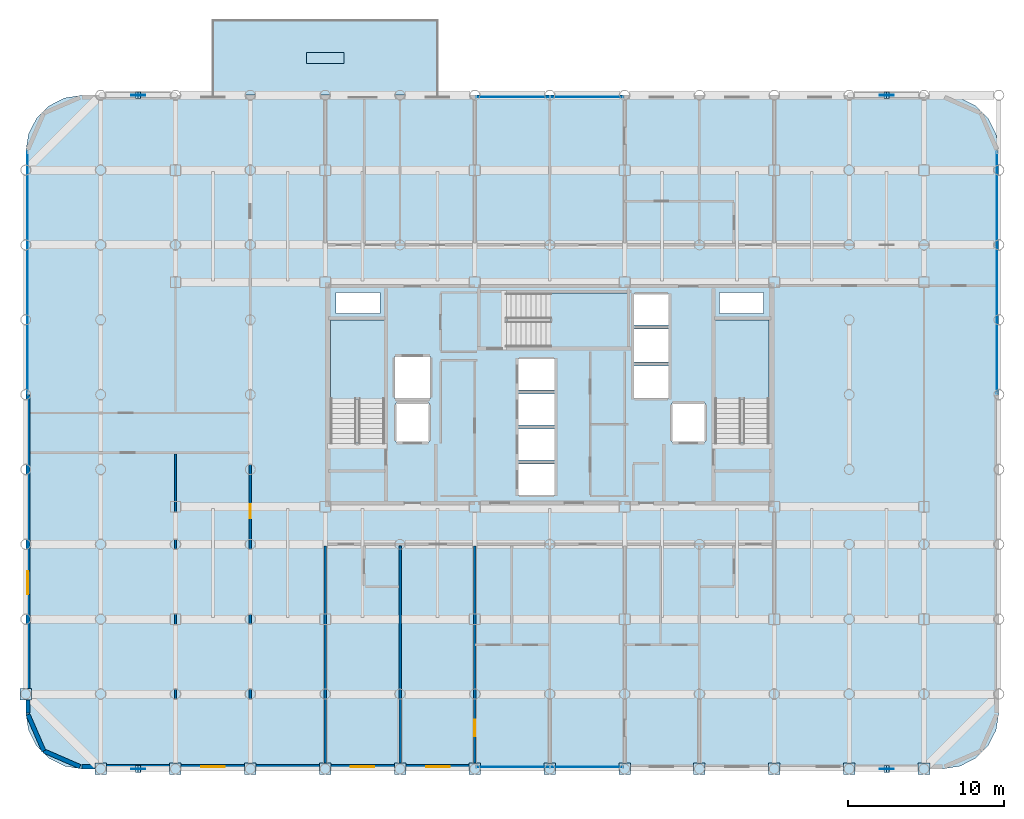
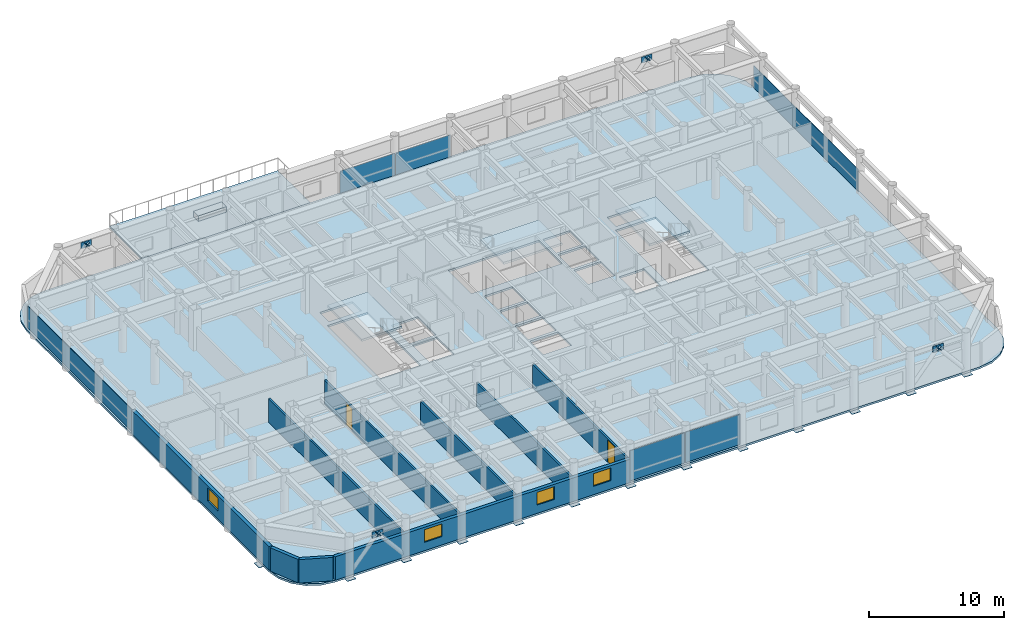
# One storey, part 16 of 22: 32 plates, 9 walls, 5 slabs, 4 windows, 2 doors, 6 openings, 7 elements without a shape of their own.
"""IFC4 building model written with IfcOpenShell, lengths in metres."""

from ifc_helpers import new_model, si_unit, direction, frame, frame_2d, origin, origin_2d, place, context, subcontext, project, spatial, polyline, rectangle, outline, extrude, material, layer, layer_set, type_object, element, fill, aggregate, save


model = new_model("IFC4")

# Units and contexts
model_context = context("Model", 3, precision=1e-05, world=origin(), true_north=direction((0.0, 1.0)))
body_context = subcontext(model_context, "Body", "Model", "MODEL_VIEW")
ifc_project = project(units=[si_unit("LENGTHUNIT", "METRE"), si_unit("AREAUNIT", "SQUARE_METRE"), si_unit("VOLUMEUNIT", "CUBIC_METRE"), si_unit("PLANEANGLEUNIT", "RADIAN"), si_unit("MASSUNIT", "GRAM", prefix="KILO")], contexts=[model_context])

# Site, building, storey
site_placement = place(None, origin())
site = spatial("IfcSite", under=ifc_project, at=site_placement, CompositionType="ELEMENT")
building_placement = place(site_placement, origin())
building = spatial("IfcBuilding", under=site, at=building_placement, Name="Kallvorn Hotel Tower", CompositionType="ELEMENT")
storey_placement = place(building_placement, frame((0.0, 0.0, 154.39990234375)))
storey = spatial("IfcBuildingStorey", under=building, at=storey_placement, Name="L38", CompositionType="ELEMENT", Elevation=154.39990234375)

# Curtain wall, plates
ifc_material_1 = material(Name="Thermally broken black-anodised aluminium AA 6063-T6", Category="aluminium")
ifc_layer_1 = layer(ifc_material_1, 0.2099609375)
ifc_layer_set_1 = layer_set([ifc_layer_1], Name="CW_SYS_4_HOTEL_MID")
curtain_wall_type = type_object("IfcCurtainWallType", Name="CW_SYS_4_HOTEL_MID", PredefinedType="USERDEFINED", material=ifc_layer_set_1)
curtain_wall_1_placement = place(storey_placement, origin())
curtain_wall_1 = element("IfcCurtainWall", 1, at=curtain_wall_1_placement, inside=storey, type_object=curtain_wall_type, Name="L38 Dark-Glass Curtain Wall CW-L38-SC", ObjectType="UNITISED CURTAIN WALL", PredefinedType="USERDEFINED")
ifc_material_2 = material(Name="Double-glazed low-e solar-control dark glass", Category="glass")
ifc_layer_2 = layer(ifc_material_2, 0.037841796875)
ifc_layer_set_2 = layer_set([ifc_layer_2], Name="CW_SYS_4_HOTEL_MID_PANEL")
plate_type_1 = type_object("IfcPlateType", Name="CW_SYS_4_HOTEL_MID_PANEL", PredefinedType="CURTAIN_PANEL", material=ifc_layer_set_2)
plate_1_placement = place(storey_placement, frame((-2.375, -23.8798828125, 0.06005859375), z_axis=(0.0, 0.0, 1.0), x_axis=(1.0, 0.0, 0.0)))
plate_1 = element("IfcPlate", 2, at=plate_1_placement, type_object=plate_type_1, Name="CW-L38-SC Vision Glass Panel 00", PredefinedType="CURTAIN_PANEL", context=body_context, shape_type="SweptSolid", body=[
    extrude(rectangle(XDim=4.68994140625, YDim=0.037841796875, at=origin_2d()), origin(), (0.0, 0.0, 1.0), 2.75),
])
plate_2_placement = place(storey_placement, frame((2.375, -23.8798828125, 0.06005859375), z_axis=(0.0, 0.0, 1.0), x_axis=(1.0, 0.0, 0.0)))
plate_2 = element("IfcPlate", 3, at=plate_2_placement, type_object=plate_type_1, Name="CW-L38-SC Vision Glass Panel 01", PredefinedType="CURTAIN_PANEL", context=body_context, shape_type="SweptSolid", body=[
    extrude(rectangle(XDim=4.68994140625, YDim=0.037841796875, at=origin_2d()), origin(), (0.0, 0.0, 1.0), 2.75),
])
aggregate(curtain_wall_1, [plate_1, plate_2])

curtain_wall_2_placement = place(storey_placement, origin())
curtain_wall_2 = element("IfcCurtainWall", 4, at=curtain_wall_2_placement, inside=storey, type_object=curtain_wall_type, Name="L38 Dark-Glass Curtain Wall CW-L38-NC", ObjectType="UNITISED CURTAIN WALL", PredefinedType="USERDEFINED")
plate_3_placement = place(storey_placement, frame((-2.375, 19.080078125, 0.06005859375), z_axis=(0.0, 0.0, 1.0), x_axis=(1.0, 0.0, 0.0)))
plate_3 = element("IfcPlate", 5, at=plate_3_placement, type_object=plate_type_1, Name="CW-L38-NC Vision Glass Panel 00", PredefinedType="CURTAIN_PANEL", context=body_context, shape_type="SweptSolid", body=[
    extrude(rectangle(XDim=4.68994140625, YDim=0.037841796875, at=origin_2d()), origin(), (0.0, 0.0, 1.0), 2.0),
])
plate_4_placement = place(storey_placement, frame((2.375, 19.080078125, 0.06005859375), z_axis=(0.0, 0.0, 1.0), x_axis=(1.0, 0.0, 0.0)))
plate_4 = element("IfcPlate", 6, at=plate_4_placement, type_object=plate_type_1, Name="CW-L38-NC Vision Glass Panel 01", PredefinedType="CURTAIN_PANEL", context=body_context, shape_type="SweptSolid", body=[
    extrude(rectangle(XDim=4.68994140625, YDim=0.037841796875, at=origin_2d()), origin(), (0.0, 0.0, 1.0), 2.0),
])
aggregate(curtain_wall_2, [plate_3, plate_4])

# Curtain wall, plate
curtain_wall_3_placement = place(storey_placement, origin())
curtain_wall_3 = element("IfcCurtainWall", 7, at=curtain_wall_3_placement, inside=storey, type_object=curtain_wall_type, Name="L38 Dark-Glass Curtain Wall CW-L38-WN", ObjectType="UNITISED CURTAIN WALL", PredefinedType="USERDEFINED")
plate_5_placement = place(storey_placement, frame((-33.47998046875, 7.81005859375, 0.06005859375), z_axis=(0.0, 0.0, 1.0), x_axis=(0.0, 1.0, 0.0)))
plate_5 = element("IfcPlate", 8, at=plate_5_placement, type_object=plate_type_1, Name="CW-L38-WN Vision Glass Panel 00", PredefinedType="CURTAIN_PANEL", context=body_context, shape_type="SweptSolid", body=[
    extrude(rectangle(XDim=15.52001953125, YDim=0.037841796875, at=origin_2d()), origin(), (0.0, 0.0, 1.0), 2.0),
])
aggregate(curtain_wall_3, [plate_5])

curtain_wall_4_placement = place(storey_placement, origin())
curtain_wall_4 = element("IfcCurtainWall", 9, at=curtain_wall_4_placement, inside=storey, type_object=curtain_wall_type, Name="L38 Dark-Glass Curtain Wall CW-L38-EN", ObjectType="UNITISED CURTAIN WALL", PredefinedType="USERDEFINED")
plate_6_placement = place(storey_placement, frame((28.679931640625, 7.81005859375, 0.06005859375), z_axis=(0.0, 0.0, 1.0), x_axis=(0.0, 1.0, 0.0)))
plate_6 = element("IfcPlate", 10, at=plate_6_placement, type_object=plate_type_1, Name="CW-L38-EN Vision Glass Panel 00", PredefinedType="CURTAIN_PANEL", context=body_context, shape_type="SweptSolid", body=[
    extrude(rectangle(XDim=15.52001953125, YDim=0.037841796875, at=origin_2d()), origin(), (0.0, 0.0, 1.0), 2.0),
])
aggregate(curtain_wall_4, [plate_6])

# Plates
ifc_material_3 = material(Name="Structural steel S355JR", Category="steel")
ifc_layer_3 = layer(ifc_material_3, 0.030029296875)
ifc_layer_set_3 = layer_set([ifc_layer_3], Name="PLT_CAP_30")
plate_type_2 = type_object("IfcPlateType", Name="PLT_CAP_30", PredefinedType="SHEET", material=ifc_layer_set_3)
for number, where, z_axis, x_axis, name in (
    (11, (-33.60009765625, -19.199951171875, -0.2099609375), (0.0, 0.0, 1.0), (1.0, 0.0, 0.0), "L38 Hollow Column Base End Cap Plate 0212"),
    (12, (-28.800048828125, -24.0, -0.2099609375), (0.0, 0.0, 1.0), (1.0, 0.0, 0.0), "L38 Hollow Column Base End Cap Plate 0213"),
    (13, (-24.0, -24.0, -0.2099609375), (0.0, 0.0, 1.0), (1.0, 0.0, 0.0), "L38 Hollow Column Base End Cap Plate 0214"),
    (14, (-19.199951171875, -24.0, -0.2099609375), (0.0, 0.0, 1.0), (1.0, 0.0, 0.0), "L38 Hollow Column Base End Cap Plate 0215"),
    (15, (-14.39990234375, -24.0, -0.2099609375), (0.0, 0.0, 1.0), (1.0, 0.0, 0.0), "L38 Hollow Column Base End Cap Plate 0216"),
    (16, (-9.60009765625, -24.0, -0.2099609375), (0.0, 0.0, 1.0), (1.0, 0.0, 0.0), "L38 Hollow Column Base End Cap Plate 0217"),
    (17, (-4.800048828125, -24.0, -0.2099609375), (0.0, 0.0, 1.0), (1.0, 0.0, 0.0), "L38 Hollow Column Base End Cap Plate 0218"),
    (18, (0.0, -24.0, -0.2099609375), (0.0, 0.0, 1.0), (1.0, 0.0, 0.0), "L38 Hollow Column Base End Cap Plate 0219"),
    (19, (4.800048828125, -24.0, -0.2099609375), (0.0, 0.0, 1.0), (1.0, 0.0, 0.0), "L38 Hollow Column Base End Cap Plate 0220"),
    (20, (9.60009765625, -24.0, -0.2099609375), (0.0, 0.0, 1.0), (1.0, 0.0, 0.0), "L38 Hollow Column Base End Cap Plate 0221"),
    (21, (14.39990234375, -24.0, -0.2099609375), (0.0, 0.0, 1.0), (1.0, 0.0, 0.0), "L38 Hollow Column Base End Cap Plate 0222"),
    (22, (19.199951171875, -24.0, -0.2099609375), (0.0, 0.0, 1.0), (1.0, 0.0, 0.0), "L38 Hollow Column Base End Cap Plate 0223"),
    (23, (24.0, -24.0, -0.2099609375), (0.0, 0.0, 1.0), (1.0, 0.0, 0.0), "L38 Hollow Column Base End Cap Plate 0224"),
):
    element("IfcPlate", number, at=place(storey_placement, frame(where, z_axis=z_axis, x_axis=x_axis)), inside=storey, type_object=plate_type_2, Name=name, PredefinedType="SHEET", context=body_context, shape_type="SweptSolid", body=[
        extrude(rectangle(XDim=0.739990234375, YDim=0.739990234375, at=origin_2d()), origin(), (0.0, 0.0, 1.0), 0.030029296875),
    ])
plate_7_placement = place(storey_placement, frame((-26.227294921875, -24.2177734375, 2.876708984375), z_axis=(0.647046537535, 0.0, 0.762450508731), x_axis=(0.0, 1.0, 0.0)))
element("IfcPlate", 24, at=plate_7_placement, inside=storey, type_object=plate_type_2, Name="EXO-L38-S1A End Cap Plate B", PredefinedType="SHEET", context=body_context, shape_type="SweptSolid", body=[
    extrude(outline(polyline([(0.0, 0.0), (0.435546875, 0.0), (0.435546875, 0.4357992903407334), (0.0, 0.4357992903407334), (0.0, 0.0)])), origin(), (0.0, 0.0, -1.0), 0.030029296875),
])
plate_8_placement = place(storey_placement, frame((-26.572509765625, -23.7822265625, 2.876708984375), z_axis=(-0.647322989315, 0.0, 0.762215814258), x_axis=(0.0, -1.0, 0.0)))
element("IfcPlate", 25, at=plate_8_placement, inside=storey, type_object=plate_type_2, Name="EXO-L38-S1B End Cap Plate B", PredefinedType="SHEET", context=body_context, shape_type="SweptSolid", body=[
    extrude(outline(polyline([(0.0, 0.0), (0.435546875, 0.0), (0.435546875, 0.43561317384010895), (0.0, 0.43561317384010895), (0.0, 0.0)])), origin(), (0.0, 0.0, -1.0), 0.030029296875),
])
plate_9_placement = place(storey_placement, frame((21.772705078125, -24.2177734375, 2.876708984375), z_axis=(0.647046537535, 0.0, 0.762450508731), x_axis=(0.0, 1.0, 0.0)))
element("IfcPlate", 26, at=plate_9_placement, inside=storey, type_object=plate_type_2, Name="EXO-L38-S2A End Cap Plate B", PredefinedType="SHEET", context=body_context, shape_type="SweptSolid", body=[
    extrude(outline(polyline([(0.0, 0.0), (0.435546875, 0.0), (0.435546875, 0.4357992903407334), (0.0, 0.4357992903407334), (0.0, 0.0)])), origin(), (0.0, 0.0, -1.0), 0.030029296875),
])
plate_10_placement = place(storey_placement, frame((21.427490234375, -23.7822265625, 2.876708984375), z_axis=(-0.647322989315, 0.0, 0.762215814258), x_axis=(0.0, -1.0, 0.0)))
element("IfcPlate", 27, at=plate_10_placement, inside=storey, type_object=plate_type_2, Name="EXO-L38-S2B End Cap Plate B", PredefinedType="SHEET", context=body_context, shape_type="SweptSolid", body=[
    extrude(outline(polyline([(0.0, 0.0), (0.435546875, 0.0), (0.435546875, 0.43561317384010895), (0.0, 0.43561317384010895), (0.0, 0.0)])), origin(), (0.0, 0.0, -1.0), 0.030029296875),
])
plate_11_placement = place(storey_placement, frame((-26.227294921875, 18.982177734375, 2.876708984375), z_axis=(0.647046537535, 0.0, 0.762450508731), x_axis=(0.0, 1.0, 0.0)))
element("IfcPlate", 28, at=plate_11_placement, inside=storey, type_object=plate_type_2, Name="EXO-L38-N1A End Cap Plate B", PredefinedType="SHEET", context=body_context, shape_type="SweptSolid", body=[
    extrude(outline(polyline([(0.0, 0.0), (0.435546875, 0.0), (0.435546875, 0.4357992903407334), (0.0, 0.4357992903407334), (0.0, 0.0)])), origin(), (0.0, 0.0, -1.0), 0.030029296875),
])
plate_12_placement = place(storey_placement, frame((-26.572509765625, 19.417724609375, 2.876708984375), z_axis=(-0.647322989315, 0.0, 0.762215814258), x_axis=(0.0, -1.0, 0.0)))
element("IfcPlate", 29, at=plate_12_placement, inside=storey, type_object=plate_type_2, Name="EXO-L38-N1B End Cap Plate B", PredefinedType="SHEET", context=body_context, shape_type="SweptSolid", body=[
    extrude(outline(polyline([(0.0, 0.0), (0.435546875, 0.0), (0.435546875, 0.43561317384010895), (0.0, 0.43561317384010895), (0.0, 0.0)])), origin(), (0.0, 0.0, -1.0), 0.030029296875),
])
plate_13_placement = place(storey_placement, frame((21.772705078125, 18.982177734375, 2.876708984375), z_axis=(0.647046537535, 0.0, 0.762450508731), x_axis=(0.0, 1.0, 0.0)))
element("IfcPlate", 30, at=plate_13_placement, inside=storey, type_object=plate_type_2, Name="EXO-L38-N2A End Cap Plate B", PredefinedType="SHEET", context=body_context, shape_type="SweptSolid", body=[
    extrude(outline(polyline([(0.0, 0.0), (0.435546875, 0.0), (0.435546875, 0.4357992903407334), (0.0, 0.4357992903407334), (0.0, 0.0)])), origin(), (0.0, 0.0, -1.0), 0.030029296875),
])
plate_14_placement = place(storey_placement, frame((21.427490234375, 19.417724609375, 2.876708984375), z_axis=(-0.647322989315, 0.0, 0.762215814258), x_axis=(0.0, -1.0, 0.0)))
element("IfcPlate", 31, at=plate_14_placement, inside=storey, type_object=plate_type_2, Name="EXO-L38-N2B End Cap Plate B", PredefinedType="SHEET", context=body_context, shape_type="SweptSolid", body=[
    extrude(outline(polyline([(0.0, 0.0), (0.435546875, 0.0), (0.435546875, 0.43561317384010895), (0.0, 0.43561317384010895), (0.0, 0.0)])), origin(), (0.0, 0.0, -1.0), 0.030029296875),
])
ifc_material_4 = material(Name="Structural steel S355JR", Category="steel")
ifc_layer_4 = layer(ifc_material_4, 0.044921875)
ifc_layer_set_4 = layer_set([ifc_layer_4], Name="PLT_GUSSET_45")
plate_type_3 = type_object("IfcPlateType", Name="PLT_GUSSET_45", PredefinedType="USERDEFINED", material=ifc_layer_set_4)
for number, where, z_axis, x_axis, name in (
    (32, (-26.39990234375, -24.0, 2.690185546875), (0.0, 0.0, 1.0), (1.0, 0.0, 0.0), "L38 Exoskeleton Node Gusset S1"),
    (33, (21.60009765625, -24.0, 2.690185546875), (0.0, 0.0, 1.0), (1.0, 0.0, 0.0), "L38 Exoskeleton Node Gusset S2"),
    (34, (-26.39990234375, 19.199951171875, 2.690185546875), (0.0, 0.0, 1.0), (1.0, 0.0, 0.0), "L38 Exoskeleton Node Gusset N1"),
    (35, (21.60009765625, 19.199951171875, 2.690185546875), (0.0, 0.0, 1.0), (1.0, 0.0, 0.0), "L38 Exoskeleton Node Gusset N2"),
):
    element("IfcPlate", number, at=place(storey_placement, frame(where, z_axis=z_axis, x_axis=x_axis)), inside=storey, type_object=plate_type_3, Name=name, ObjectType="GUSSET PLATE", PredefinedType="USERDEFINED", context=body_context, shape_type="SweptSolid", body=[
        extrude(rectangle(XDim=0.89990234375, YDim=0.044921875, at=origin_2d()), origin(), (0.0, 0.0, 1.0), 0.56005859375),
    ])
ifc_material_5 = material(Name="Powder-coated marine-grade aluminium planter trough", Category="aluminium")
ifc_layer_5 = layer(ifc_material_5, 0.0400390625)
ifc_layer_set_5 = layer_set([ifc_layer_5], Name="PLT_PLANTER_TROUGH")
plate_type_4 = type_object("IfcPlateType", Name="PLT_PLANTER_TROUGH", PredefinedType="USERDEFINED", material=ifc_layer_set_5)
plate_15_placement = place(storey_placement, frame((-14.39990234375, 21.60009765625, 0.0), z_axis=(0.0, 0.0, 1.0), x_axis=(1.0, 0.0, 0.0)))
element("IfcPlate", 36, at=plate_15_placement, inside=storey, type_object=plate_type_4, Name="TER-L38-N Step-Off Terrace Planter", ObjectType="FACADE PLANTER TROUGH", PredefinedType="USERDEFINED", context=body_context, shape_type="SweptSolid", body=[
    extrude(rectangle(XDim=2.39990234375, YDim=0.699951171875, at=origin_2d()), origin(), (0.0, 0.0, 1.0), 0.5),
])

# Stair, slab
ifc_material_6 = material(Name="Precast concrete C40/50", Category="concrete")
stair_type = type_object("IfcStairType", Name="STR_CORE_DOGLEG", PredefinedType="HALF_TURN_STAIR", material=ifc_material_6)
stair_1_placement = place(storey_placement, origin())
stair_1 = element("IfcStair", 37, at=stair_1_placement, inside=storey, type_object=stair_type, Name="L38 Exit stair ST1", PredefinedType="HALF_TURN_STAIR")
ifc_material_7 = material(Name="Precast concrete C40/50", Category="concrete")
ifc_layer_6 = layer(ifc_material_7, 0.179931640625)
ifc_layer_set_6 = layer_set([ifc_layer_6], Name="SLB_LANDING_180")
slab_type_1 = type_object("IfcSlabType", Name="SLB_LANDING_180", PredefinedType="LANDING", material=ifc_layer_set_6)
slab_1_placement = place(storey_placement, frame((0.0, 0.0, 1.650146484375)))
slab_1 = element("IfcSlab", 38, at=slab_1_placement, type_object=slab_type_1, Name="ST1 landing 1", PredefinedType="LANDING", context=body_context, shape_type="SweptSolid", body=[
    extrude(outline(polyline([(-10.60009765625, -0.31005859375), (-10.60009765625, 4.800048828125), (-14.06005859375, 4.800048828125), (-14.06005859375, -0.31005859375), (-10.60009765625, -0.31005859375)])), origin(), (0.0, 0.0, 1.0), 0.199951171875),
])
aggregate(stair_1, [slab_1])

stair_2_placement = place(storey_placement, origin())
stair_2 = element("IfcStair", 39, at=stair_2_placement, inside=storey, type_object=stair_type, Name="L38 Exit stair ST2", PredefinedType="HALF_TURN_STAIR")
slab_2_placement = place(storey_placement, frame((0.0, 0.0, 1.650146484375)))
slab_2 = element("IfcSlab", 40, at=slab_2_placement, type_object=slab_type_1, Name="ST2 landing 1", PredefinedType="LANDING", context=body_context, shape_type="SweptSolid", body=[
    extrude(outline(polyline([(14.06005859375, -0.31005859375), (14.06005859375, 4.800048828125), (10.60009765625, 4.800048828125), (10.60009765625, -0.31005859375), (14.06005859375, -0.31005859375)])), origin(), (0.0, 0.0, 1.0), 0.199951171875),
])
aggregate(stair_2, [slab_2])

stair_3_placement = place(storey_placement, origin())
stair_3 = element("IfcStair", 41, at=stair_3_placement, inside=storey, type_object=stair_type, Name="L38 Exit stair ST3", PredefinedType="HALF_TURN_STAIR")
slab_3_placement = place(storey_placement, frame((0.0, 0.0, 1.650146484375)))
slab_3 = element("IfcSlab", 42, at=slab_3_placement, type_object=slab_type_1, Name="ST3 landing 1", PredefinedType="LANDING", context=body_context, shape_type="SweptSolid", body=[
    extrude(outline(polyline([(0.0400390625, 3.050048828125), (5.050048828125, 3.050048828125), (5.050048828125, 6.510009765625), (0.0400390625, 6.510009765625), (0.0400390625, 3.050048828125)])), origin(), (0.0, 0.0, 1.0), 0.199951171875),
])
aggregate(stair_3, [slab_3])

# Slabs
ifc_material_8 = material(Name="Concrete C40/50", Category="concrete")
ifc_layer_7 = layer(ifc_material_8, 0.179931640625)
ifc_layer_set_7 = layer_set([ifc_layer_7], Name="SLB_TERRACE_180")
slab_type_2 = type_object("IfcSlabType", Name="SLB_TERRACE_180", PredefinedType="ROOF", material=ifc_layer_set_7)
slab_4_placement = place(storey_placement, frame((0.0, 0.0, -0.179931640625)))
element("IfcSlab", 43, at=slab_4_placement, inside=storey, type_object=slab_type_2, Name="L38 Jenga Step-Off Garden Terrace TER-L38-N", PredefinedType="ROOF", context=body_context, shape_type="SweptSolid", body=[
    extrude(outline(polyline([(-21.60009765625, 19.199951171875), (-7.199951171875, 19.199951171875), (-7.199951171875, 24.0), (-21.60009765625, 24.0), (-21.60009765625, 19.199951171875)])), origin(), (0.0, 0.0, 1.0), 0.179931640625),
])
ifc_material_9 = material(Name="Concrete C40/50", Category="concrete")
ifc_layer_8 = layer(ifc_material_9, 0.179931640625)
ifc_layer_set_8 = layer_set([ifc_layer_8], Name="SLB_TOWER_180")
slab_type_3 = type_object("IfcSlabType", Name="SLB_TOWER_180", PredefinedType="FLOOR", material=ifc_layer_set_8)
slab_5_placement = place(storey_placement, frame((0.0, 0.0, -0.179931640625)))
element("IfcSlab", 44, at=slab_5_placement, inside=storey, type_object=slab_type_3, Name="L38 Structural Floor Slab", PredefinedType="FLOOR", context=body_context, shape_type="SweptSolid", body=[
    extrude(outline(polyline([(25.199951171875, -24.0), (26.3125, -23.82373046875), (27.31591796875, -23.3125), (28.112548828125, -22.51611328125), (28.623779296875, -21.512451171875), (28.800048828125, -20.39990234375), (28.800048828125, 15.60009765625), (28.623779296875, 16.71240234375), (28.112548828125, 17.716064453125), (27.31591796875, 18.512451171875), (26.3125, 19.023681640625), (25.199951171875, 19.199951171875), (-30.0, 19.199951171875), (-31.112548828125, 19.023681640625), (-32.115966796875, 18.512451171875), (-32.91259765625, 17.716064453125), (-33.423828125, 16.71240234375), (-33.60009765625, 15.60009765625), (-33.60009765625, -20.39990234375), (-33.423828125, -21.512451171875), (-32.91259765625, -22.51611328125), (-32.115966796875, -23.3125), (-31.112548828125, -23.82373046875), (-30.0, -24.0), (25.199951171875, -24.0)]), holes=[polyline([(-10.60009765625, -3.070068359375), (-10.60009765625, 4.800048828125), (-14.06005859375, 4.800048828125), (-14.06005859375, -3.070068359375), (-10.60009765625, -3.070068359375)]), polyline([(14.06005859375, -3.070068359375), (14.06005859375, 4.800048828125), (10.60009765625, 4.800048828125), (10.60009765625, -3.070068359375), (14.06005859375, -3.070068359375)]), polyline([(-2.719970703125, 3.050048828125), (5.050048828125, 3.050048828125), (5.050048828125, 6.510009765625), (-2.719970703125, 6.510009765625), (-2.719970703125, 3.050048828125)]), polyline([(-2.050048828125, -6.449951171875), (0.35009765625, -6.449951171875), (0.35009765625, -4.449951171875), (-2.050048828125, -4.449951171875), (-2.050048828125, -6.449951171875)]), polyline([(-2.050048828125, -4.199951171875), (0.35009765625, -4.199951171875), (0.35009765625, -2.199951171875), (-2.050048828125, -2.199951171875), (-2.050048828125, -4.199951171875)]), polyline([(-2.050048828125, -1.949951171875), (0.35009765625, -1.949951171875), (0.35009765625, 0.050048828125), (-2.050048828125, 0.050048828125), (-2.050048828125, -1.949951171875)]), polyline([(-2.050048828125, 0.300048828125), (0.35009765625, 0.300048828125), (0.35009765625, 2.300048828125), (-2.050048828125, 2.300048828125), (-2.050048828125, 0.300048828125)]), polyline([(5.35009765625, -0.25), (7.64990234375, -0.25), (7.64990234375, 1.85009765625), (5.35009765625, 1.85009765625), (5.35009765625, -0.25)]), polyline([(5.35009765625, 2.10009765625), (7.64990234375, 2.10009765625), (7.64990234375, 4.199951171875), (5.35009765625, 4.199951171875), (5.35009765625, 2.10009765625)]), polyline([(5.35009765625, 4.449951171875), (7.64990234375, 4.449951171875), (7.64990234375, 6.449951171875), (5.35009765625, 6.449951171875), (5.35009765625, 4.449951171875)]), polyline([(-9.85009765625, -3.050048828125), (-7.75, -3.050048828125), (-7.75, -0.550048828125), (-9.85009765625, -0.550048828125), (-9.85009765625, -3.050048828125)]), polyline([(7.85009765625, -3.050048828125), (9.949951171875, -3.050048828125), (9.949951171875, -0.550048828125), (7.85009765625, -0.550048828125), (7.85009765625, -3.050048828125)]), polyline([(-9.949951171875, -0.25), (-7.64990234375, -0.25), (-7.64990234375, 2.449951171875), (-9.949951171875, 2.449951171875), (-9.949951171875, -0.25)]), polyline([(-13.699951171875, 5.199951171875), (-10.89990234375, 5.199951171875), (-10.89990234375, 6.550048828125), (-13.699951171875, 6.550048828125), (-13.699951171875, 5.199951171875)]), polyline([(10.89990234375, 5.199951171875), (13.699951171875, 5.199951171875), (13.699951171875, 6.550048828125), (10.89990234375, 6.550048828125), (10.89990234375, 5.199951171875)])]), origin(), (0.0, 0.0, 1.0), 0.179931640625),
])

# Walls
ifc_material_10 = material(Name="Fire-rated double-layer acoustic gypsum drywall EI 60")
ifc_layer_9 = layer(ifc_material_10, 0.159912109375)
ifc_layer_set_9 = layer_set([ifc_layer_9], Name="WL_DEMISE_160")
wall_type_1 = type_object("IfcWallType", Name="WL_DEMISE_160", PredefinedType="PARTITIONING", material=ifc_layer_set_9)
for number, where, z_axis, x_axis, name in (
    (45, (-14.39990234375, -23.7099609375, 0.0), (0.0, 0.0, 1.0), (0.0, 1.0, 0.0), "L38 Suite 3801 Superior Twin Room Partition"),
    (46, (-9.60009765625, -23.7099609375, 0.0), (0.0, 0.0, 1.0), (0.0, 1.0, 0.0), "L38 Suite 3801 Superior Twin Room Partition"),
):
    element("IfcWall", number, at=place(storey_placement, frame(where, z_axis=z_axis, x_axis=x_axis)), inside=storey, type_object=wall_type_1, Name=name, PredefinedType="PARTITIONING", context=body_context, shape_type="SweptSolid", body=[
        extrude(rectangle(XDim=13.989990234375, YDim=0.159912109375, at=frame_2d((6.9951171875, 0.0))), origin(), (0.0, 0.0, 1.0), 2.1201171875),
    ])

# Wall, opening, door
wall_1_placement = place(storey_placement, frame((-4.800048828125, -23.7099609375, 0.0), z_axis=(0.0, 0.0, 1.0), x_axis=(0.0, 1.0, 0.0)))
wall_1 = element("IfcWall", 47, at=wall_1_placement, inside=storey, type_object=wall_type_1, Name="L38 Suite 3802 Executive Bedroom Partition", PredefinedType="PARTITIONING", context=body_context, shape_type="SweptSolid", body=[
    extrude(rectangle(XDim=13.989990234375, YDim=0.159912109375, at=frame_2d((6.9951171875, 0.0))), origin(), (0.0, 0.0, 1.0), 2.1201171875),
])
opening_1_placement = place(wall_1_placement, frame((1.802978515625, 0.0, 0.0)))
opening_1 = element("IfcOpeningElement", 48, at=opening_1_placement, cuts=wall_1, Name="Opening GD2A", PredefinedType="OPENING", context=body_context, shape_type="SweptSolid", body=[
    extrude(rectangle(XDim=1.050048828125, YDim=2.02001953125, at=frame_2d((0.52490234375, 1.010009765625))), frame((0.0, 0.094970703125, 0.0), z_axis=(0.0, -1.0, 0.0), x_axis=(1.0, 0.0, 0.0)), (0.0, 0.0, 1.0), 0.18994140625),
])
ifc_material_11 = material(Name="Solid-core walnut veneer fire-rated timber door leaf", Category="wood")
door_type_1 = type_object("IfcDoorType", Name="DR_SUITE_1050x2020", OperationType="NOTDEFINED", PredefinedType="DOOR", material=ifc_material_11)
door_1_placement = place(opening_1_placement, origin())
door_1 = element("IfcDoor", 49, at=door_1_placement, inside=storey, type_object=door_type_1, Name="L38 Suite 3802 Executive Bedroom Door", OperationType="SINGLE_SWING_LEFT", OverallHeight=2.02001953125, OverallWidth=1.050048828125, PredefinedType="DOOR", context=body_context, shape_type="SweptSolid", body=[
    extrude(rectangle(XDim=1.050048828125, YDim=2.02001953125, at=frame_2d((0.52490234375, 1.010009765625))), frame((0.0, 0.02490234375, 0.0), z_axis=(0.0, -1.0, 0.0), x_axis=(1.0, 0.0, 0.0)), (0.0, 0.0, 1.0), 0.050048828125),
])
fill(opening_1, door_1)

# Walls
ifc_material_12 = material(Name="Precast basalt-clad insulated concrete wall C40/50", Category="masonry")
ifc_layer_10 = layer(ifc_material_12, 0.280029296875)
ifc_layer_set_10 = layer_set([ifc_layer_10], Name="WL_EXT_LOGGIA_280")
wall_type_2 = type_object("IfcWallType", Name="WL_EXT_LOGGIA_280", PredefinedType="SOLIDWALL", material=ifc_layer_set_10)
wall_2_placement = place(storey_placement, frame((-33.4580078125, -20.520751953125, 0.0), z_axis=(0.0, 0.0, 1.0), x_axis=(0.398792985289, -0.917040977756, 0.0)))
element("IfcWall", 50, at=wall_2_placement, inside=storey, type_object=wall_type_2, Name="L38 Rounded Corner Exterior Wall SW1", PredefinedType="SOLIDWALL", context=body_context, shape_type="SweptSolid", body=[
    extrude(rectangle(XDim=2.536376953125, YDim=0.280029296875, at=frame_2d((1.26806640625, 0.0))), origin(), (0.0, 0.0, 1.0), 2.1201171875),
])
wall_3_placement = place(storey_placement, frame((-32.446533203125, -22.8466796875, 0.0), z_axis=(0.0, 0.0, 1.0), x_axis=(0.917060872934, -0.398747232384, 0.0)))
element("IfcWall", 51, at=wall_3_placement, inside=storey, type_object=wall_type_2, Name="L38 Rounded Corner Exterior Wall SW2", PredefinedType="SOLIDWALL", context=body_context, shape_type="SweptSolid", body=[
    extrude(rectangle(XDim=2.5361328125, YDim=0.280029296875, at=frame_2d((1.26806640625, 0.0))), origin(), (0.0, 0.0, 1.0), 2.1201171875),
])

# Wall, openings, windows
wall_4_placement = place(storey_placement, frame((-30.0, -23.860107421875, 0.0), z_axis=(0.0, 0.0, 1.0), x_axis=(1.0, 0.0, 0.0)))
wall_4 = element("IfcWall", 52, at=wall_4_placement, inside=storey, type_object=wall_type_2, Name="L38 Exterior Envelope Wall EW-L38-SW", PredefinedType="SOLIDWALL", context=body_context, shape_type="SweptSolid", body=[
    extrude(rectangle(XDim=25.25, YDim=0.280029296875, at=frame_2d((12.625, 0.0))), origin(), (0.0, 0.0, 1.0), 2.1201171875),
])
opening_2_placement = place(wall_4_placement, frame((7.64990234375, 0.0, 0.75)))
opening_2 = element("IfcOpeningElement", 53, at=opening_2_placement, cuts=wall_4, Name="Opening W05A", PredefinedType="OPENING", context=body_context, shape_type="SweptSolid", body=[
    extrude(rectangle(XDim=1.5, YDim=1.14990234375, at=frame_2d((0.75, 0.574951171875))), frame((0.0, 0.155029296875, 0.0), z_axis=(0.0, -1.0, 0.0), x_axis=(1.0, 0.0, 0.0)), (0.0, 0.0, 1.0), 0.31005859375),
])
opening_3_placement = place(wall_4_placement, frame((17.25, 0.0, 0.75)))
opening_3 = element("IfcOpeningElement", 54, at=opening_3_placement, cuts=wall_4, Name="Opening W05A", PredefinedType="OPENING", context=body_context, shape_type="SweptSolid", body=[
    extrude(rectangle(XDim=1.5, YDim=1.14990234375, at=frame_2d((0.75, 0.574951171875))), frame((0.0, 0.155029296875, 0.0), z_axis=(0.0, -1.0, 0.0), x_axis=(1.0, 0.0, 0.0)), (0.0, 0.0, 1.0), 0.31005859375),
])
opening_4_placement = place(wall_4_placement, frame((22.090087890625, 0.0, 0.75)))
opening_4 = element("IfcOpeningElement", 55, at=opening_4_placement, cuts=wall_4, Name="Opening W05A", PredefinedType="OPENING", context=body_context, shape_type="SweptSolid", body=[
    extrude(rectangle(XDim=1.5, YDim=1.14990234375, at=frame_2d((0.75, 0.574951171875))), frame((0.0, 0.155029296875, 0.0), z_axis=(0.0, -1.0, 0.0), x_axis=(1.0, 0.0, 0.0)), (0.0, 0.0, 1.0), 0.31005859375),
])
ifc_material_13 = material(Name="Double-glazed low-e solar-control dark glass", Category="glass")
window_type = type_object("IfcWindowType", Name="WN_HTL_1500x1150", PartitioningType="SINGLE_PANEL", PredefinedType="WINDOW", material=ifc_material_13)
window_1_placement = place(opening_2_placement, origin())
window_1 = element("IfcWindow", 56, at=window_1_placement, inside=storey, type_object=window_type, Name="L38 Guestroom Exterior Window 02", OverallHeight=1.14990234375, OverallWidth=1.5, PartitioningType="SINGLE_PANEL", PredefinedType="WINDOW", context=body_context, shape_type="SweptSolid", body=[
    extrude(rectangle(XDim=1.5, YDim=1.14990234375, at=frame_2d((0.75, 0.574951171875))), frame((0.0, 0.030029296875, 0.0), z_axis=(0.0, -1.0, 0.0), x_axis=(1.0, 0.0, 0.0)), (0.0, 0.0, 1.0), 0.06005859375),
])
fill(opening_2, window_1)
window_2_placement = place(opening_3_placement, origin())
window_2 = element("IfcWindow", 57, at=window_2_placement, inside=storey, type_object=window_type, Name="L38 Guestroom Exterior Window 06", OverallHeight=1.14990234375, OverallWidth=1.5, PartitioningType="SINGLE_PANEL", PredefinedType="WINDOW", context=body_context, shape_type="SweptSolid", body=[
    extrude(rectangle(XDim=1.5, YDim=1.14990234375, at=frame_2d((0.75, 0.574951171875))), frame((0.0, 0.030029296875, 0.0), z_axis=(0.0, -1.0, 0.0), x_axis=(1.0, 0.0, 0.0)), (0.0, 0.0, 1.0), 0.06005859375),
])
fill(opening_3, window_2)
window_3_placement = place(opening_4_placement, origin())
window_3 = element("IfcWindow", 58, at=window_3_placement, inside=storey, type_object=window_type, Name="L38 Guestroom Exterior Window 07", OverallHeight=1.14990234375, OverallWidth=1.5, PartitioningType="SINGLE_PANEL", PredefinedType="WINDOW", context=body_context, shape_type="SweptSolid", body=[
    extrude(rectangle(XDim=1.5, YDim=1.14990234375, at=frame_2d((0.75, 0.574951171875))), frame((0.0, 0.030029296875, 0.0), z_axis=(0.0, -1.0, 0.0), x_axis=(1.0, 0.0, 0.0)), (0.0, 0.0, 1.0), 0.06005859375),
])
fill(opening_4, window_3)

# Wall, opening, window
wall_5_placement = place(storey_placement, frame((-33.4599609375, -20.39990234375, 0.0), z_axis=(0.0, 0.0, 1.0), x_axis=(0.0, 1.0, 0.0)))
wall_5 = element("IfcWall", 59, at=wall_5_placement, inside=storey, type_object=wall_type_2, Name="L38 Exterior Envelope Wall EW-L38-WS", PredefinedType="SOLIDWALL", context=body_context, shape_type="SweptSolid", body=[
    extrude(rectangle(XDim=20.3798828125, YDim=0.280029296875, at=frame_2d((10.18994140625, 0.0))), origin(), (0.0, 0.0, 1.0), 2.1201171875),
])
opening_5_placement = place(wall_5_placement, frame((7.590087890625, 0.0, 0.75)))
opening_5 = element("IfcOpeningElement", 60, at=opening_5_placement, cuts=wall_5, Name="Opening W05A", PredefinedType="OPENING", context=body_context, shape_type="SweptSolid", body=[
    extrude(rectangle(XDim=1.5, YDim=1.14990234375, at=frame_2d((0.75, 0.574951171875))), frame((0.0, 0.155029296875, 0.0), z_axis=(0.0, -1.0, 0.0), x_axis=(1.0, 0.0, 0.0)), (0.0, 0.0, 1.0), 0.31005859375),
])
window_4_placement = place(opening_5_placement, origin())
window_4 = element("IfcWindow", 61, at=window_4_placement, inside=storey, type_object=window_type, Name="L38 Flank Wing Window 01", OverallHeight=1.14990234375, OverallWidth=1.5, PartitioningType="SINGLE_PANEL", PredefinedType="WINDOW", context=body_context, shape_type="SweptSolid", body=[
    extrude(rectangle(XDim=1.5, YDim=1.14990234375, at=frame_2d((0.75, 0.574951171875))), frame((0.0, 0.030029296875, 0.0), z_axis=(0.0, -1.0, 0.0), x_axis=(1.0, 0.0, 0.0)), (0.0, 0.0, 1.0), 0.06005859375),
])
fill(opening_5, window_4)

# Wall
ifc_material_14 = material(Name="Fire-rated double-layer acoustic gypsum drywall EI 60")
ifc_layer_11 = layer(ifc_material_14, 0.14990234375)
ifc_layer_set_11 = layer_set([ifc_layer_11], Name="WL_PART_150")
wall_type_3 = type_object("IfcWallType", Name="WL_PART_150", PredefinedType="PARTITIONING", material=ifc_layer_set_11)
wall_6_placement = place(storey_placement, frame((-24.0, -23.7099609375, 0.0), z_axis=(0.0, 0.0, 1.0), x_axis=(0.0, 1.0, 0.0)))
element("IfcWall", 62, at=wall_6_placement, inside=storey, type_object=wall_type_3, Name="L38 L38 Inner South-West Wine Gallery Partition", PredefinedType="PARTITIONING", context=body_context, shape_type="SweptSolid", body=[
    extrude(rectangle(XDim=19.905029296875, YDim=0.14990234375, at=frame_2d((9.95263671875, 0.0))), origin(), (0.0, 0.0, 1.0), 2.1201171875),
])

# Wall, opening, door
wall_7_placement = place(storey_placement, frame((-19.199951171875, -23.7099609375, 0.0), z_axis=(0.0, 0.0, 1.0), x_axis=(0.0, 1.0, 0.0)))
wall_7 = element("IfcWall", 63, at=wall_7_placement, inside=storey, type_object=wall_type_3, Name="L38 L38 Inner South-West Wine Gallery Partition", PredefinedType="PARTITIONING", context=body_context, shape_type="SweptSolid", body=[
    extrude(rectangle(XDim=19.905029296875, YDim=0.14990234375, at=frame_2d((9.95263671875, 0.0))), origin(), (0.0, 0.0, 1.0), 2.1201171875),
])
opening_6_placement = place(wall_7_placement, frame((15.790771484375, 0.0, 0.0)))
opening_6 = element("IfcOpeningElement", 64, at=opening_6_placement, cuts=wall_7, Name="Opening SVD1A", PredefinedType="OPENING", context=body_context, shape_type="SweptSolid", body=[
    extrude(rectangle(XDim=0.89990234375, YDim=2.02001953125, at=frame_2d((0.449951171875, 1.010009765625))), frame((0.0, 0.08984375, 0.0), z_axis=(0.0, -1.0, 0.0), x_axis=(1.0, 0.0, 0.0)), (0.0, 0.0, 1.0), 0.179931640625),
])
ifc_material_15 = material(Name="Galvanised painted steel fire-rated door assembly", Category="steel")
door_type_2 = type_object("IfcDoorType", Name="DR_SERV_900x2020", OperationType="NOTDEFINED", PredefinedType="DOOR", material=ifc_material_15)
door_2_placement = place(opening_6_placement, origin())
door_2 = element("IfcDoor", 65, at=door_2_placement, inside=storey, type_object=door_type_2, Name="L38 L38 Inner South-West Wine Gallery Door", OperationType="SINGLE_SWING_RIGHT", OverallHeight=2.02001953125, OverallWidth=0.89990234375, PredefinedType="DOOR", context=body_context, shape_type="SweptSolid", body=[
    extrude(rectangle(XDim=0.89990234375, YDim=2.02001953125, at=frame_2d((0.449951171875, 1.010009765625))), frame((0.0, 0.02490234375, 0.0), z_axis=(0.0, -1.0, 0.0), x_axis=(1.0, 0.0, 0.0)), (0.0, 0.0, 1.0), 0.050048828125),
])
fill(opening_6, door_2)

save(model, "model.ifc")
